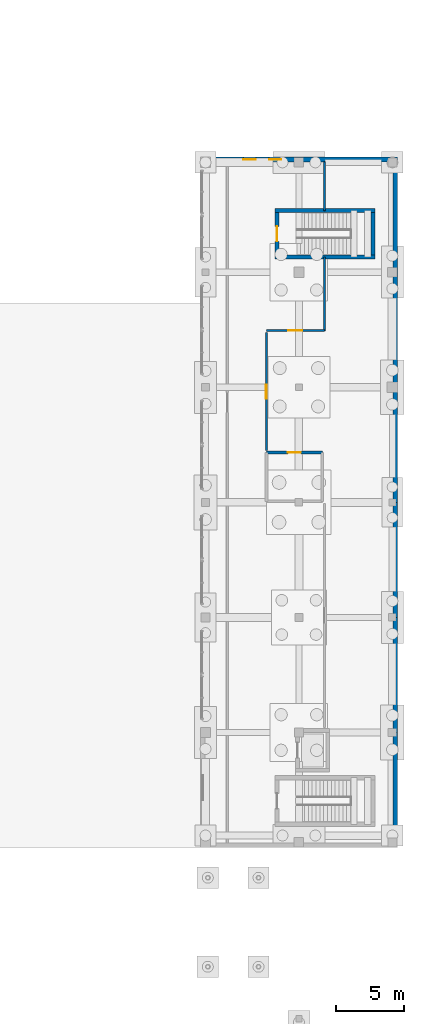
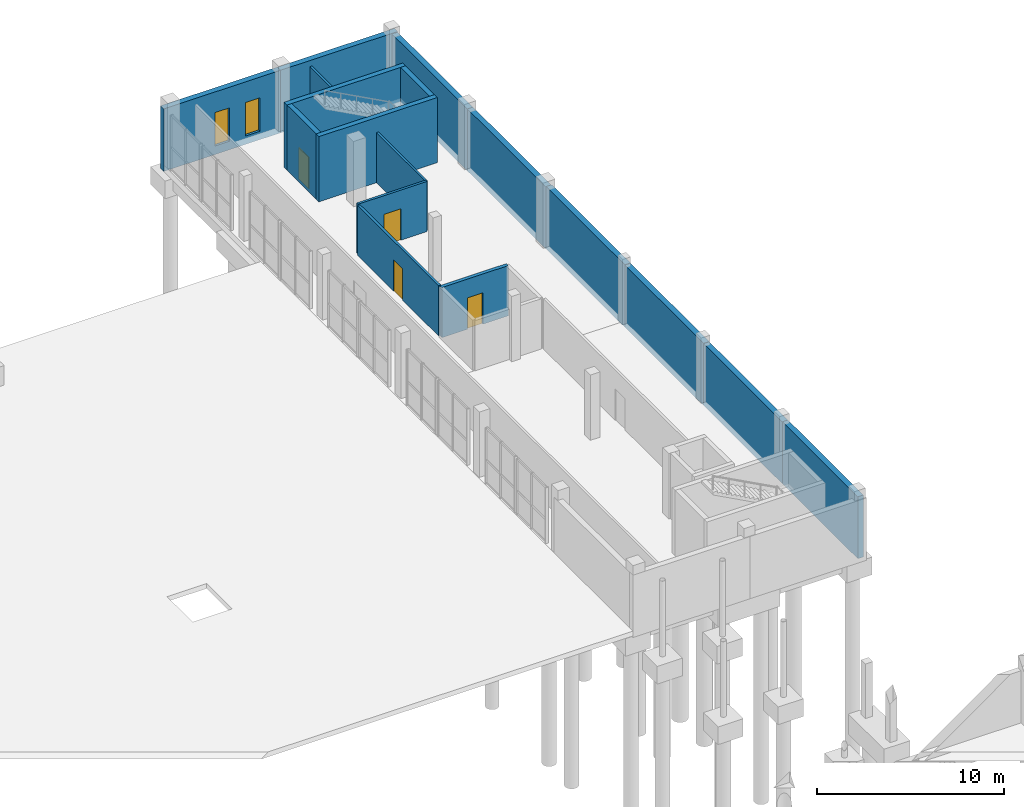
# One storey, part 32 of 41: 17 walls, 4 doors, 2 windows, 6 openings.
"""IFC4 building model written with IfcOpenShell, lengths in metres."""

from ifc_helpers import new_model, si_unit, direction, frame, frame_2d, origin, place, context, subcontext, project, spatial, rectangle, extrude, material, layer, layer_set, type_object, element, fill, save


model = new_model("IFC4")

# Units and contexts
model_context = context("Model", 3, precision=1e-05, world=origin(), true_north=direction((0.0, 1.0)))
body_context = subcontext(model_context, "Body", "Model", "MODEL_VIEW")
ifc_project = project(units=[si_unit("LENGTHUNIT", "METRE"), si_unit("AREAUNIT", "SQUARE_METRE"), si_unit("VOLUMEUNIT", "CUBIC_METRE"), si_unit("PLANEANGLEUNIT", "RADIAN"), si_unit("MASSUNIT", "GRAM", prefix="KILO")], contexts=[model_context])

# Site, building, storey
site_placement = place(None, origin())
site = spatial("IfcSite", under=ifc_project, at=site_placement, CompositionType="ELEMENT")
building_placement = place(site_placement, origin())
building = spatial("IfcBuilding", under=site, at=building_placement, Name="Vardoun Plaza Health Centre", CompositionType="ELEMENT")
storey_placement = place(building_placement, frame((0.0, 0.0, -4.5)))
storey = spatial("IfcBuildingStorey", under=building, at=storey_placement, Name="B1", CompositionType="ELEMENT", Elevation=-4.5)

# Wall
ifc_material_1 = material(Name="Concrete C40/50", Category="concrete")
ifc_layer_1 = layer(ifc_material_1, 0.300048828125)
ifc_layer_set_1 = layer_set([ifc_layer_1], Name="Concrete C40/50")
wall_type_1 = type_object("IfcWallType", Name="SW-01", PredefinedType="SHEAR", material=ifc_layer_set_1)
wall_1_placement = place(storey_placement, frame((163.64990234375, 79.39990234375, 0.0), z_axis=(0.0, 0.0, 1.0), x_axis=(-1.0, 0.0, 0.0)))
element("IfcWall", 1, at=wall_1_placement, inside=storey, type_object=wall_type_1, Name="Core C11 B1 Shear Wall S", PredefinedType="SHEAR", context=body_context, shape_type="SweptSolid", body=[
    extrude(rectangle(XDim=7.2998046875, YDim=0.300048828125, at=frame_2d((3.64990234375, 0.0))), origin(), (0.0, 0.0, 1.0), 4.25),
])

# Wall, opening, door
wall_2_placement = place(storey_placement, frame((156.5, 79.550048828125, 0.0), z_axis=(0.0, 0.0, 1.0), x_axis=(0.0, 1.0, 0.0)))
wall_2 = element("IfcWall", 2, at=wall_2_placement, inside=storey, type_object=wall_type_1, Name="Core C11 B1 Shear Wall W", PredefinedType="SHEAR", context=body_context, shape_type="SweptSolid", body=[
    extrude(rectangle(XDim=3.099853515625, YDim=0.300048828125, at=frame_2d((1.5498046875, 0.0))), origin(), (0.0, 0.0, 1.0), 4.25),
])
opening_1_placement = place(wall_2_placement, frame((1.0, 0.0, 0.0)))
opening_1 = element("IfcOpeningElement", 3, at=opening_1_placement, cuts=wall_2, Name="Opening SD-C11-B1", PredefinedType="OPENING", context=body_context, shape_type="SweptSolid", body=[
    extrude(rectangle(XDim=1.10009765625, YDim=2.050048828125, at=frame_2d((0.550048828125, 1.02490234375))), frame((0.0, 0.14990234375, 0.0), z_axis=(0.0, -1.0, 0.0), x_axis=(1.0, 0.0, 0.0)), (0.0, 0.0, 1.0), 0.300048828125),
])
ifc_material_2 = material(Name="Brushed Stainless Steel Grade 316L", Category="steel")
door_type_1 = type_object("IfcDoorType", Name="FD-01", OperationType="NOTDEFINED", PredefinedType="DOOR", material=ifc_material_2)
door_1_placement = place(opening_1_placement, origin())
door_1 = element("IfcDoor", 4, at=door_1_placement, inside=storey, type_object=door_type_1, Name="Stair C11 B1 Fire Door", OperationType="SINGLE_SWING_RIGHT", OverallHeight=2.050048828125, OverallWidth=1.10009765625, PredefinedType="DOOR", context=body_context, shape_type="SweptSolid", body=[
    extrude(rectangle(XDim=1.10009765625, YDim=2.050048828125, at=frame_2d((0.550048828125, 1.02490234375))), frame((0.0, 0.02490234375, 0.0), z_axis=(0.0, -1.0, 0.0), x_axis=(1.0, 0.0, 0.0)), (0.0, 0.0, 1.0), 0.050048828125),
])
fill(opening_1, door_1)

# Walls
wall_3_placement = place(storey_placement, frame((156.35009765625, 82.800048828125, 0.0), z_axis=(0.0, 0.0, 1.0), x_axis=(1.0, 0.0, 0.0)))
element("IfcWall", 5, at=wall_3_placement, inside=storey, type_object=wall_type_1, Name="Core C11 B1 Shear Wall N", PredefinedType="SHEAR", context=body_context, shape_type="SweptSolid", body=[
    extrude(rectangle(XDim=7.2998046875, YDim=0.300048828125, at=frame_2d((3.64990234375, 0.0))), origin(), (0.0, 0.0, 1.0), 4.25),
])
wall_4_placement = place(storey_placement, frame((163.5, 82.64990234375, 0.0), z_axis=(0.0, 0.0, 1.0), x_axis=(0.0, -1.0, 0.0)))
element("IfcWall", 6, at=wall_4_placement, inside=storey, type_object=wall_type_1, Name="Core C11 B1 Shear Wall E", PredefinedType="SHEAR", context=body_context, shape_type="SweptSolid", body=[
    extrude(rectangle(XDim=3.099853515625, YDim=0.300048828125, at=frame_2d((1.5498046875, 0.0))), origin(), (0.0, 0.0, 1.0), 4.25),
])

# Wall, openings, windows
ifc_material_3 = material(Name="Pale Limestone Concrete C35/45", Category="masonry")
ifc_layer_2 = layer(ifc_material_3, 0.344970703125)
ifc_layer_set_2 = layer_set([ifc_layer_2], Name="Pale Limestone Concrete C35/45")
wall_type_2 = type_object("IfcWallType", Name="EW-01", PredefinedType="SOLIDWALL", material=ifc_layer_set_2)
wall_5_placement = place(storey_placement, frame((150.89990234375, 86.527587890625, -0.419921875), z_axis=(0.0, 0.0, 1.0), x_axis=(1.0, 0.0, 0.0)))
wall_5 = element("IfcWall", 7, at=wall_5_placement, inside=storey, type_object=wall_type_2, Name="V6 B1 Exterior Wall EW-V6-404", PredefinedType="SOLIDWALL", context=body_context, shape_type="SweptSolid", body=[
    extrude(rectangle(XDim=7.2001953125, YDim=0.344970703125, at=frame_2d((3.60009765625, 0.0))), origin(), (0.0, 0.0, 1.0), 4.074951171875),
])
opening_2_placement = place(wall_5_placement, frame((3.14990234375, 0.0, 0.550048828125)))
opening_2 = element("IfcOpeningElement", 8, at=opening_2_placement, cuts=wall_5, Name="Opening W-09-012", PredefinedType="OPENING", context=body_context, shape_type="SweptSolid", body=[
    extrude(rectangle(XDim=0.89990234375, YDim=2.179931640625, at=frame_2d((0.449951171875, 1.08984375))), frame((0.0, 0.17236328125, 0.0), z_axis=(0.0, -1.0, 0.0), x_axis=(1.0, 0.0, 0.0)), (0.0, 0.0, 1.0), 0.344970703125),
])
opening_3_placement = place(wall_5_placement, frame((5.02197265625, 0.0, 0.550048828125)))
opening_3 = element("IfcOpeningElement", 9, at=opening_3_placement, cuts=wall_5, Name="Opening W-09-013", PredefinedType="OPENING", context=body_context, shape_type="SweptSolid", body=[
    extrude(rectangle(XDim=0.89990234375, YDim=2.179931640625, at=frame_2d((0.449951171875, 1.08984375))), frame((0.0, 0.17236328125, 0.0), z_axis=(0.0, -1.0, 0.0), x_axis=(1.0, 0.0, 0.0)), (0.0, 0.0, 1.0), 0.344970703125),
])
ifc_material_4 = material(Name="Aluminium Alloy EN AW-6063-T6 and Low-E Glass", Category="aluminium")
window_type = type_object("IfcWindowType", Name="W-09", PartitioningType="DOUBLE_PANEL_VERTICAL", PredefinedType="WINDOW", material=ifc_material_4)
window_1_placement = place(opening_2_placement, origin())
window_1 = element("IfcWindow", 10, at=window_1_placement, inside=storey, type_object=window_type, Name="V6 B1 Deep-Punched Slot Window W-09-626", OverallHeight=2.179931640625, OverallWidth=0.89990234375, PartitioningType="DOUBLE_PANEL_VERTICAL", PredefinedType="WINDOW", context=body_context, shape_type="SweptSolid", body=[
    extrude(rectangle(XDim=0.89990234375, YDim=2.179931640625, at=frame_2d((0.449951171875, 1.08984375))), frame((0.0, 0.030029296875, 0.0), z_axis=(0.0, -1.0, 0.0), x_axis=(1.0, 0.0, 0.0)), (0.0, 0.0, 1.0), 0.06005859375),
])
fill(opening_2, window_1)
window_2_placement = place(opening_3_placement, origin())
window_2 = element("IfcWindow", 11, at=window_2_placement, inside=storey, type_object=window_type, Name="V6 B1 Deep-Punched Slot Window W-09-627", OverallHeight=2.179931640625, OverallWidth=0.89990234375, PartitioningType="DOUBLE_PANEL_VERTICAL", PredefinedType="WINDOW", context=body_context, shape_type="SweptSolid", body=[
    extrude(rectangle(XDim=0.89990234375, YDim=2.179931640625, at=frame_2d((0.449951171875, 1.08984375))), frame((0.0, 0.030029296875, 0.0), z_axis=(0.0, -1.0, 0.0), x_axis=(1.0, 0.0, 0.0)), (0.0, 0.0, 1.0), 0.06005859375),
])
fill(opening_3, window_2)

# Walls
wall_6_placement = place(storey_placement, frame((158.10009765625, 86.527587890625, -0.419921875), z_axis=(0.0, 0.0, 1.0), x_axis=(1.0, 0.0, 0.0)))
element("IfcWall", 12, at=wall_6_placement, inside=storey, type_object=wall_type_2, Name="V6 B1 Exterior Wall EW-V6-405", PredefinedType="SOLIDWALL", context=body_context, shape_type="SweptSolid", body=[
    extrude(rectangle(XDim=7.199951171875, YDim=0.344970703125, at=frame_2d((3.60009765625, 0.0))), origin(), (0.0, 0.0, 1.0), 4.074951171875),
])
wall_7_placement = place(storey_placement, frame((165.12744140625, 86.35498046875, -0.419921875), z_axis=(0.0, 0.0, 1.0), x_axis=(0.0, -1.0, 0.0)))
element("IfcWall", 13, at=wall_7_placement, inside=storey, type_object=wall_type_2, Name="V6 B1 Exterior Wall EW-V6-406", PredefinedType="SOLIDWALL", context=body_context, shape_type="SweptSolid", body=[
    extrude(rectangle(XDim=8.054931640625, YDim=0.344970703125, at=frame_2d((4.02734375, 0.0))), origin(), (0.0, 0.0, 1.0), 4.034912109375),
])
wall_8_placement = place(storey_placement, frame((165.12744140625, 78.300048828125, -0.419921875), z_axis=(0.0, 0.0, 1.0), x_axis=(0.0, -1.0, 0.0)))
element("IfcWall", 14, at=wall_8_placement, inside=storey, type_object=wall_type_2, Name="V6 B1 Exterior Wall EW-V6-407", PredefinedType="SOLIDWALL", context=body_context, shape_type="SweptSolid", body=[
    extrude(rectangle(XDim=8.400146484375, YDim=0.344970703125, at=frame_2d((4.2001953125, 0.0))), origin(), (0.0, 0.0, 1.0), 4.034912109375),
])
wall_9_placement = place(storey_placement, frame((165.12744140625, 69.89990234375, -0.419921875), z_axis=(0.0, 0.0, 1.0), x_axis=(0.0, -1.0, 0.0)))
element("IfcWall", 15, at=wall_9_placement, inside=storey, type_object=wall_type_2, Name="V6 B1 Exterior Wall EW-V6-408", PredefinedType="SOLIDWALL", context=body_context, shape_type="SweptSolid", body=[
    extrude(rectangle(XDim=8.39990234375, YDim=0.344970703125, at=frame_2d((4.199951171875, 0.0))), origin(), (0.0, 0.0, 1.0), 4.074951171875),
])
wall_10_placement = place(storey_placement, frame((165.12744140625, 61.5, -0.419921875), z_axis=(0.0, 0.0, 1.0), x_axis=(0.0, -1.0, 0.0)))
element("IfcWall", 16, at=wall_10_placement, inside=storey, type_object=wall_type_2, Name="V6 B1 Exterior Wall EW-V6-409", PredefinedType="SOLIDWALL", context=body_context, shape_type="SweptSolid", body=[
    extrude(rectangle(XDim=8.39990234375, YDim=0.344970703125, at=frame_2d((4.199951171875, 0.0))), origin(), (0.0, 0.0, 1.0), 4.054931640625),
])
wall_11_placement = place(storey_placement, frame((165.12744140625, 53.10009765625, -0.419921875), z_axis=(0.0, 0.0, 1.0), x_axis=(0.0, -1.0, 0.0)))
element("IfcWall", 17, at=wall_11_placement, inside=storey, type_object=wall_type_2, Name="V6 B1 Exterior Wall EW-V6-410", PredefinedType="SOLIDWALL", context=body_context, shape_type="SweptSolid", body=[
    extrude(rectangle(XDim=8.400146484375, YDim=0.344970703125, at=frame_2d((4.2001953125, 0.0))), origin(), (0.0, 0.0, 1.0), 4.034912109375),
])
wall_12_placement = place(storey_placement, frame((165.12744140625, 44.699951171875, -0.419921875), z_axis=(0.0, 0.0, 1.0), x_axis=(0.0, -1.0, 0.0)))
element("IfcWall", 18, at=wall_12_placement, inside=storey, type_object=wall_type_2, Name="V6 B1 Exterior Wall EW-V6-411", PredefinedType="SOLIDWALL", context=body_context, shape_type="SweptSolid", body=[
    extrude(rectangle(XDim=8.054931640625, YDim=0.344970703125, at=frame_2d((4.02734375, 0.0))), origin(), (0.0, 0.0, 1.0), 4.034912109375),
])

# Wall, opening, door
ifc_material_5 = material(Name="Acoustic Gypsum Twin-Stud", Category="steel")
ifc_layer_3 = layer(ifc_material_5, 0.14990234375)
ifc_layer_set_3 = layer_set([ifc_layer_3], Name="Acoustic Gypsum Twin-Stud")
wall_type_3 = type_object("IfcWallType", Name="IW-04", PredefinedType="PARTITIONING", material=ifc_layer_set_3)
wall_13_placement = place(storey_placement, frame((159.9599609375, 74.044921875, 0.0), z_axis=(0.0, 0.0, 1.0), x_axis=(-1.0, 0.0, 0.0)))
wall_13 = element("IfcWall", 19, at=wall_13_placement, inside=storey, type_object=wall_type_3, Name="Cycle and Mobility Aid Hub Partition Wall", PredefinedType="PARTITIONING", context=body_context, shape_type="SweptSolid", body=[
    extrude(rectangle(XDim=4.239990234375, YDim=0.14990234375, at=frame_2d((2.1201171875, 0.0))), origin(), (0.0, 0.0, 1.0), 3.27001953125),
])
opening_4_placement = place(wall_13_placement, frame((1.60009765625, 0.0, 0.0)))
opening_4 = element("IfcOpeningElement", 20, at=opening_4_placement, cuts=wall_13, Name="Opening D-B1-158", PredefinedType="OPENING", context=body_context, shape_type="SweptSolid", body=[
    extrude(rectangle(XDim=1.0400390625, YDim=2.050048828125, at=frame_2d((0.52001953125, 1.02490234375))), frame((0.0, 0.074951171875, 0.0), z_axis=(0.0, -1.0, 0.0), x_axis=(1.0, 0.0, 0.0)), (0.0, 0.0, 1.0), 0.14990234375),
])
ifc_material_6 = material(Name="Antimicrobial Acoustic Timber and Steel S275JR", Category="steel")
door_type_2 = type_object("IfcDoorType", Name="CD-04", OperationType="NOTDEFINED", PredefinedType="DOOR", material=ifc_material_6)
door_2_placement = place(opening_4_placement, origin())
door_2 = element("IfcDoor", 21, at=door_2_placement, inside=storey, type_object=door_type_2, Name="Cycle and Mobility Aid Hub Door D-B1-158", OperationType="SINGLE_SWING_LEFT", OverallHeight=2.050048828125, OverallWidth=1.0400390625, PredefinedType="DOOR", context=body_context, shape_type="SweptSolid", body=[
    extrude(rectangle(XDim=1.0400390625, YDim=2.050048828125, at=frame_2d((0.52001953125, 1.02490234375))), frame((0.0, 0.02490234375, 0.0), z_axis=(0.0, -1.0, 0.0), x_axis=(1.0, 0.0, 0.0)), (0.0, 0.0, 1.0), 0.050048828125),
])
fill(opening_4, door_2)

wall_14_placement = place(storey_placement, frame((155.719970703125, 65.27099609375, 0.0), z_axis=(0.0, 0.0, 1.0), x_axis=(0.0, 1.0, 0.0)))
wall_14 = element("IfcWall", 22, at=wall_14_placement, inside=storey, type_object=wall_type_3, Name="Sunken Forecourt Entry Hall A Partition Wall", PredefinedType="PARTITIONING", context=body_context, shape_type="SweptSolid", body=[
    extrude(rectangle(XDim=8.614013671875, YDim=0.14990234375, at=frame_2d((4.30712890625, 0.0))), origin(), (0.0, 0.0, 1.0), 3.27001953125),
])
opening_5_placement = place(wall_14_placement, frame((3.80712890625, 0.0, 0.0)))
opening_5 = element("IfcOpeningElement", 23, at=opening_5_placement, cuts=wall_14, Name="Opening D-B1-159", PredefinedType="OPENING", context=body_context, shape_type="SweptSolid", body=[
    extrude(rectangle(XDim=1.0, YDim=2.050048828125, at=frame_2d((0.5, 1.02490234375))), frame((0.0, 0.074951171875, 0.0), z_axis=(0.0, -1.0, 0.0), x_axis=(1.0, 0.0, 0.0)), (0.0, 0.0, 1.0), 0.14990234375),
])
ifc_material_7 = material(Name="Antimicrobial Acoustic Timber and Steel S275JR", Category="steel")
door_type_3 = type_object("IfcDoorType", Name="CD-03", OperationType="NOTDEFINED", PredefinedType="DOOR", material=ifc_material_7)
door_3_placement = place(opening_5_placement, origin())
door_3 = element("IfcDoor", 24, at=door_3_placement, inside=storey, type_object=door_type_3, Name="Sunken Forecourt Entry Hall A Door D-B1-159", OperationType="SINGLE_SWING_RIGHT", OverallHeight=2.050048828125, OverallWidth=1.0, PredefinedType="DOOR", context=body_context, shape_type="SweptSolid", body=[
    extrude(rectangle(XDim=1.0, YDim=2.050048828125, at=frame_2d((0.5, 1.02490234375))), frame((0.0, 0.02490234375, 0.0), z_axis=(0.0, -1.0, 0.0), x_axis=(1.0, 0.0, 0.0)), (0.0, 0.0, 1.0), 0.050048828125),
])
fill(opening_5, door_3)

# Walls
ifc_material_8 = material(Name="Standard Clinical Sub-Partition", Category="steel")
ifc_layer_4 = layer(ifc_material_8, 0.125)
ifc_layer_set_4 = layer_set([ifc_layer_4], Name="Standard Clinical Sub-Partition")
wall_type_4 = type_object("IfcWallType", Name="IW-11", PredefinedType="PARTITIONING", material=ifc_layer_set_4)
wall_15_placement = place(storey_placement, frame((159.9599609375, 86.35009765625, 0.0), z_axis=(0.0, 0.0, 1.0), x_axis=(0.0, -1.0, 0.0)))
element("IfcWall", 25, at=wall_15_placement, inside=storey, type_object=wall_type_4, Name="Cycle and Mobility Aid Hub Enclosure Partition", PredefinedType="PARTITIONING", context=body_context, shape_type="SweptSolid", body=[
    extrude(rectangle(XDim=3.550048828125, YDim=0.125, at=frame_2d((1.77490234375, 0.0))), origin(), (0.0, 0.0, 1.0), 3.27001953125),
])
wall_16_placement = place(storey_placement, frame((159.9599609375, 79.39990234375, 0.0), z_axis=(0.0, 0.0, 1.0), x_axis=(0.0, -1.0, 0.0)))
element("IfcWall", 26, at=wall_16_placement, inside=storey, type_object=wall_type_4, Name="Cycle and Mobility Aid Hub Enclosure Partition", PredefinedType="PARTITIONING", context=body_context, shape_type="SweptSolid", body=[
    extrude(rectangle(XDim=5.35498046875, YDim=0.125, at=frame_2d((2.677490234375, 0.0))), origin(), (0.0, 0.0, 1.0), 3.27001953125),
])

# Wall, opening, door
ifc_material_9 = material(Name="Moisture-Resistant Plumbing Chase", Category="steel")
ifc_layer_5 = layer(ifc_material_9, 0.215087890625)
ifc_layer_set_5 = layer_set([ifc_layer_5], Name="Moisture-Resistant Plumbing Chase")
wall_type_5 = type_object("IfcWallType", Name="IW-06", PredefinedType="PLUMBINGWALL", material=ifc_layer_set_5)
wall_17_placement = place(storey_placement, frame((155.719970703125, 65.130859375, 0.0), z_axis=(0.0, 0.0, 1.0), x_axis=(1.0, 0.0, 0.0)))
wall_17 = element("IfcWall", 27, at=wall_17_placement, inside=storey, type_object=wall_type_5, Name="Accessible WC B1-V6 Partition Wall", PredefinedType="PLUMBINGWALL", context=body_context, shape_type="SweptSolid", body=[
    extrude(rectangle(XDim=4.08349609375, YDim=0.215087890625, at=frame_2d((2.041748046875, 0.0))), origin(), (0.0, 0.0, 1.0), 3.27001953125),
])
opening_6_placement = place(wall_17_placement, frame((1.56689453125, 0.0, 0.0)))
opening_6 = element("IfcOpeningElement", 28, at=opening_6_placement, cuts=wall_17, Name="Opening D-B1-155", PredefinedType="OPENING", context=body_context, shape_type="SweptSolid", body=[
    extrude(rectangle(XDim=0.949951171875, YDim=2.050048828125, at=frame_2d((0.47509765625, 1.02490234375))), frame((0.0, 0.107421875, 0.0), z_axis=(0.0, -1.0, 0.0), x_axis=(1.0, 0.0, 0.0)), (0.0, 0.0, 1.0), 0.215087890625),
])
ifc_material_10 = material(Name="Antimicrobial Acoustic Timber and Steel S275JR", Category="steel")
door_type_4 = type_object("IfcDoorType", Name="CD-07", OperationType="NOTDEFINED", PredefinedType="DOOR", material=ifc_material_10)
door_4_placement = place(opening_6_placement, origin())
door_4 = element("IfcDoor", 29, at=door_4_placement, inside=storey, type_object=door_type_4, Name="Accessible WC B1-V6 Door D-B1-155", OperationType="SINGLE_SWING_RIGHT", OverallHeight=2.050048828125, OverallWidth=0.949951171875, PredefinedType="DOOR", context=body_context, shape_type="SweptSolid", body=[
    extrude(rectangle(XDim=0.949951171875, YDim=2.050048828125, at=frame_2d((0.47509765625, 1.02490234375))), frame((0.0, 0.02490234375, 0.0), z_axis=(0.0, -1.0, 0.0), x_axis=(1.0, 0.0, 0.0)), (0.0, 0.0, 1.0), 0.050048828125),
])
fill(opening_6, door_4)

save(model, "model.ifc")
